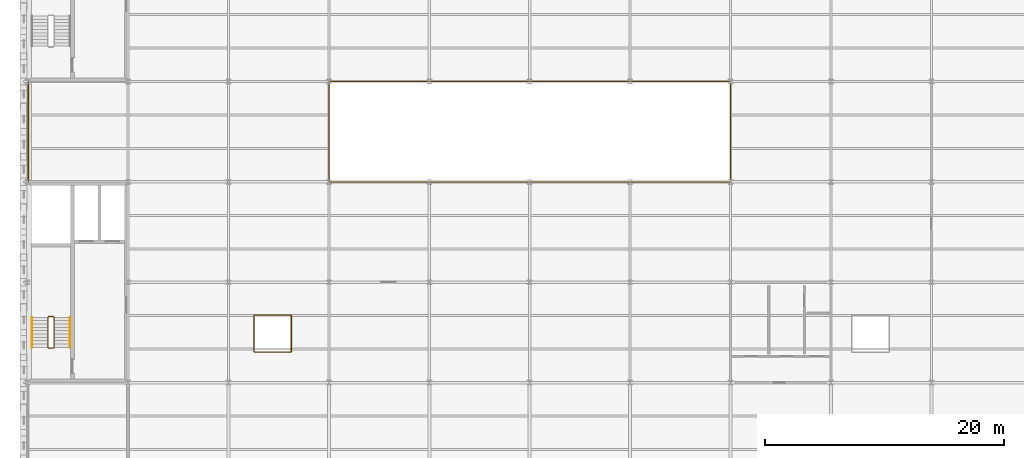
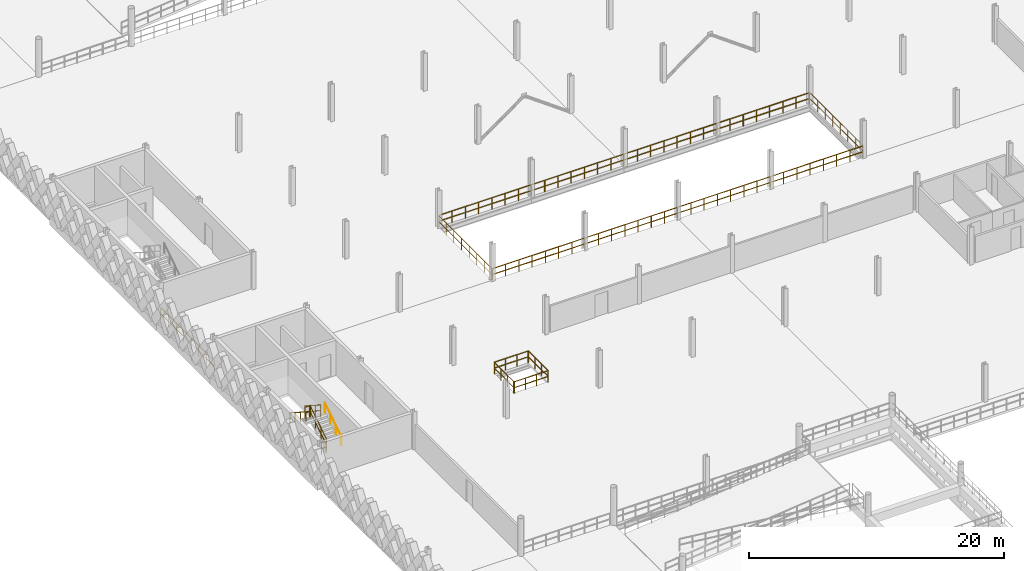
# One storey, part 66 of 74: 15 railings.
"""IFC4 building model written with IfcOpenShell, lengths in metres."""

from ifc_helpers import new_model, si_unit, direction, frame, origin, origin_2d, place, context, subcontext, project, spatial, circle, extrude, material, type_object, element, save


model = new_model("IFC4")

# Units and contexts
model_context = context("Model", 3, precision=1e-05, world=origin(), true_north=direction((0.0, 1.0)))
body_context = subcontext(model_context, "Body", "Model", "MODEL_VIEW")
ifc_project = project(units=[si_unit("LENGTHUNIT", "METRE"), si_unit("AREAUNIT", "SQUARE_METRE"), si_unit("VOLUMEUNIT", "CUBIC_METRE"), si_unit("PLANEANGLEUNIT", "RADIAN"), si_unit("MASSUNIT", "GRAM", prefix="KILO"), si_unit("THERMODYNAMICTEMPERATUREUNIT", "KELVIN"), si_unit("POWERUNIT", "WATT")], contexts=[model_context])

# Site, building, storey
site_placement = place(None, origin())
site = spatial("IfcSite", under=ifc_project, at=site_placement, CompositionType="ELEMENT")
building_placement = place(site_placement, origin())
building = spatial("IfcBuilding", under=site, at=building_placement, Name="Tembeka Court Mobility Hub", CompositionType="ELEMENT")
storey_placement = place(building_placement, frame((0.0, 0.0, 12.60009765625)))
storey = spatial("IfcBuildingStorey", under=building, at=storey_placement, Name="L03", CompositionType="ELEMENT", Elevation=12.60009765625)

# Railings
ifc_material_1 = material(Name="Painted galvanised steel balustrade", Category="steel")
railing_type_1 = type_object("IfcRailingType", Name="RL-GR01", PredefinedType="GUARDRAIL", material=ifc_material_1)
railing_1_placement = place(storey_placement, frame((18.97998046875, 40.949951171875, 0.0)))
element("IfcRailing", 1, at=railing_1_placement, inside=storey, type_object=railing_type_1, Name="Perimeter guard GR01-0103", PredefinedType="GUARDRAIL", context=body_context, shape_type="SweptSolid", body=[
    extrude(circle(Radius=0.02392578125, at=origin_2d()), frame((0.0, 0.0, 1.09619140625), z_axis=(1.0, 0.0, 0.0), x_axis=(0.0, 1.0, 0.0)), (0.0, 0.0, 1.0), 3.0400390625),
    extrude(circle(Radius=0.02392578125, at=origin_2d()), frame((0.0, 0.0, 0.5361328125), z_axis=(1.0, 0.0, 0.0), x_axis=(0.0, 1.0, 0.0)), (0.0, 0.0, 1.0), 3.0400390625),
    extrude(circle(Radius=0.02099609375, at=origin_2d()), origin(), (0.0, 0.0, 1.0), 1.072021484375),
    extrude(circle(Radius=0.02099609375, at=origin_2d()), frame((1.013427734375, 0.0, 0.0)), (0.0, 0.0, 1.0), 1.072021484375),
    extrude(circle(Radius=0.02099609375, at=origin_2d()), frame((2.026611328125, 0.0, 0.0)), (0.0, 0.0, 1.0), 1.072021484375),
    extrude(circle(Radius=0.02099609375, at=origin_2d()), frame((3.0400390625, 0.0, 0.0)), (0.0, 0.0, 1.0), 1.072021484375),
])
railing_2_placement = place(storey_placement, frame((22.050048828125, 40.97998046875, 0.0)))
element("IfcRailing", 2, at=railing_2_placement, inside=storey, type_object=railing_type_1, Name="Perimeter guard GR01-0104", PredefinedType="GUARDRAIL", context=body_context, shape_type="SweptSolid", body=[
    extrude(circle(Radius=0.02392578125, at=origin_2d()), frame((0.0, 0.0, 1.09619140625), z_axis=(0.0, 1.0, 0.0), x_axis=(-1.0, 0.0, 0.0)), (0.0, 0.0, 1.0), 3.0400390625),
    extrude(circle(Radius=0.02392578125, at=origin_2d()), frame((0.0, 0.0, 0.5361328125), z_axis=(0.0, 1.0, 0.0), x_axis=(-1.0, 0.0, 0.0)), (0.0, 0.0, 1.0), 3.0400390625),
    extrude(circle(Radius=0.02099609375, at=origin_2d()), origin(), (0.0, 0.0, 1.0), 1.072021484375),
    extrude(circle(Radius=0.02099609375, at=origin_2d()), frame((0.0, 1.013427734375, 0.0)), (0.0, 0.0, 1.0), 1.072021484375),
    extrude(circle(Radius=0.02099609375, at=origin_2d()), frame((0.0, 2.026611328125, 0.0)), (0.0, 0.0, 1.0), 1.072021484375),
    extrude(circle(Radius=0.02099609375, at=origin_2d()), frame((0.0, 3.0400390625, 0.0)), (0.0, 0.0, 1.0), 1.072021484375),
])
railing_3_placement = place(storey_placement, frame((22.02001953125, 44.050048828125, 0.0)))
element("IfcRailing", 3, at=railing_3_placement, inside=storey, type_object=railing_type_1, Name="Perimeter guard GR01-0105", PredefinedType="GUARDRAIL", context=body_context, shape_type="SweptSolid", body=[
    extrude(circle(Radius=0.02392578125, at=origin_2d()), frame((0.0, 0.0, 1.09619140625), z_axis=(-1.0, 0.0, 0.0), x_axis=(0.0, -1.0, 0.0)), (0.0, 0.0, 1.0), 3.0400390625),
    extrude(circle(Radius=0.02392578125, at=origin_2d()), frame((0.0, 0.0, 0.5361328125), z_axis=(-1.0, 0.0, 0.0), x_axis=(0.0, -1.0, 0.0)), (0.0, 0.0, 1.0), 3.0400390625),
    extrude(circle(Radius=0.02099609375, at=origin_2d()), origin(), (0.0, 0.0, 1.0), 1.072021484375),
    extrude(circle(Radius=0.02099609375, at=origin_2d()), frame((-1.013427734375, 0.0, 0.0)), (0.0, 0.0, 1.0), 1.072021484375),
    extrude(circle(Radius=0.02099609375, at=origin_2d()), frame((-2.026611328125, 0.0, 0.0)), (0.0, 0.0, 1.0), 1.072021484375),
    extrude(circle(Radius=0.02099609375, at=origin_2d()), frame((-3.0400390625, 0.0, 0.0)), (0.0, 0.0, 1.0), 1.072021484375),
])
railing_4_placement = place(storey_placement, frame((18.949951171875, 44.02001953125, 0.0)))
element("IfcRailing", 4, at=railing_4_placement, inside=storey, type_object=railing_type_1, Name="Perimeter guard GR01-0106", PredefinedType="GUARDRAIL", context=body_context, shape_type="SweptSolid", body=[
    extrude(circle(Radius=0.02392578125, at=origin_2d()), frame((0.0, 0.0, 1.09619140625), z_axis=(0.0, -1.0, 0.0), x_axis=(1.0, 0.0, 0.0)), (0.0, 0.0, 1.0), 3.0400390625),
    extrude(circle(Radius=0.02392578125, at=origin_2d()), frame((0.0, 0.0, 0.5361328125), z_axis=(0.0, -1.0, 0.0), x_axis=(1.0, 0.0, 0.0)), (0.0, 0.0, 1.0), 3.0400390625),
    extrude(circle(Radius=0.02099609375, at=origin_2d()), origin(), (0.0, 0.0, 1.0), 1.072021484375),
    extrude(circle(Radius=0.02099609375, at=origin_2d()), frame((0.0, -1.013427734375, 0.0)), (0.0, 0.0, 1.0), 1.072021484375),
    extrude(circle(Radius=0.02099609375, at=origin_2d()), frame((0.0, -2.026611328125, 0.0)), (0.0, 0.0, 1.0), 1.072021484375),
    extrude(circle(Radius=0.02099609375, at=origin_2d()), frame((0.0, -3.0400390625, 0.0)), (0.0, 0.0, 1.0), 1.072021484375),
])
railing_5_placement = place(storey_placement, frame((2.199951171875, 41.35009765625, 0.179931640625)))
element("IfcRailing", 5, at=railing_5_placement, inside=storey, type_object=railing_type_1, Name="L03 ST01 stair guard 1-1", PredefinedType="GUARDRAIL", context=body_context, shape_type="SweptSolid", body=[
    extrude(circle(Radius=0.02392578125, at=origin_2d()), frame((0.0, 0.0, 1.09619140625), z_axis=(0.0, 0.841199657755, 0.540724639528), x_axis=(-1.0, 0.0, 0.0)), (0.0, 0.0, 1.0), 2.995849609375),
    extrude(circle(Radius=0.02392578125, at=origin_2d()), frame((0.0, 0.0, 0.5361328125), z_axis=(0.0, 0.841199657755, 0.540724639528), x_axis=(-1.0, 0.0, 0.0)), (0.0, 0.0, 1.0), 2.995849609375),
    extrude(circle(Radius=0.02099609375, at=origin_2d()), origin(), (0.0, 0.0, 1.0), 1.072021484375),
    extrude(circle(Radius=0.02099609375, at=origin_2d()), frame((0.0, 0.840087890625, 0.5400390625)), (0.0, 0.0, 1.0), 1.072021484375),
    extrude(circle(Radius=0.02099609375, at=origin_2d()), frame((0.0, 1.679931640625, 1.079833984375)), (0.0, 0.0, 1.0), 1.072021484375),
    extrude(circle(Radius=0.02099609375, at=origin_2d()), frame((0.0, 2.52001953125, 1.619873046875)), (0.0, 0.0, 1.0), 1.072021484375),
])
railing_6_placement = place(storey_placement, frame((2.14990234375, 43.919921875, 1.7998046875)))
element("IfcRailing", 6, at=railing_6_placement, inside=storey, type_object=railing_type_1, Name="L03 ST01 stair guard 2-1", PredefinedType="GUARDRAIL", context=body_context, shape_type="SweptSolid", body=[
    extrude(circle(Radius=0.02392578125, at=origin_2d()), frame((0.0, 0.0, 1.09619140625), z_axis=(-1.0, 0.0, 0.0), x_axis=(0.0, -1.0, 0.0)), (0.0, 0.0, 1.0), 0.39990234375),
    extrude(circle(Radius=0.02392578125, at=origin_2d()), frame((0.0, 0.0, 0.5361328125), z_axis=(-1.0, 0.0, 0.0), x_axis=(0.0, -1.0, 0.0)), (0.0, 0.0, 1.0), 0.39990234375),
    extrude(circle(Radius=0.02099609375, at=origin_2d()), origin(), (0.0, 0.0, 1.0), 1.072021484375),
    extrude(circle(Radius=0.02099609375, at=origin_2d()), frame((-0.39990234375, 0.0, 0.0)), (0.0, 0.0, 1.0), 1.072021484375),
])
railing_7_placement = place(storey_placement, frame((1.699951171875, 43.8701171875, 1.97998046875)))
element("IfcRailing", 7, at=railing_7_placement, inside=storey, type_object=railing_type_1, Name="L03 ST01 stair guard 3-1", PredefinedType="GUARDRAIL", context=body_context, shape_type="SweptSolid", body=[
    extrude(circle(Radius=0.02392578125, at=origin_2d()), frame((0.0, 0.0, 1.09619140625), z_axis=(0.0, -0.841199657755, 0.540724639528), x_axis=(1.0, 0.0, 0.0)), (0.0, 0.0, 1.0), 2.995849609375),
    extrude(circle(Radius=0.02392578125, at=origin_2d()), frame((0.0, 0.0, 0.5361328125), z_axis=(0.0, -0.841199657755, 0.540724639528), x_axis=(1.0, 0.0, 0.0)), (0.0, 0.0, 1.0), 2.995849609375),
    extrude(circle(Radius=0.02099609375, at=origin_2d()), origin(), (0.0, 0.0, 1.0), 1.072021484375),
    extrude(circle(Radius=0.02099609375, at=origin_2d()), frame((0.0, -0.840087890625, 0.5400390625)), (0.0, 0.0, 1.0), 1.072021484375),
    extrude(circle(Radius=0.02099609375, at=origin_2d()), frame((0.0, -1.679931640625, 1.079833984375)), (0.0, 0.0, 1.0), 1.072021484375),
    extrude(circle(Radius=0.02099609375, at=origin_2d()), frame((0.0, -2.52001953125, 1.619873046875)), (0.0, 0.0, 1.0), 1.072021484375),
])
railing_8_placement = place(storey_placement, frame((2.14990234375, 41.300048828125, 0.0)))
element("IfcRailing", 8, at=railing_8_placement, inside=storey, type_object=railing_type_1, Name="L03 ST01 stair guard 4-1", PredefinedType="GUARDRAIL", context=body_context, shape_type="SweptSolid", body=[
    extrude(circle(Radius=0.02392578125, at=origin_2d()), frame((0.0, 0.0, 1.09619140625), z_axis=(-1.0, 0.0, 0.0), x_axis=(0.0, -1.0, 0.0)), (0.0, 0.0, 1.0), 0.39990234375),
    extrude(circle(Radius=0.02392578125, at=origin_2d()), frame((0.0, 0.0, 0.5361328125), z_axis=(-1.0, 0.0, 0.0), x_axis=(0.0, -1.0, 0.0)), (0.0, 0.0, 1.0), 0.39990234375),
    extrude(circle(Radius=0.02099609375, at=origin_2d()), origin(), (0.0, 0.0, 1.0), 1.072021484375),
    extrude(circle(Radius=0.02099609375, at=origin_2d()), frame((-0.39990234375, 0.0, 0.0)), (0.0, 0.0, 1.0), 1.072021484375),
])
railing_type_2 = type_object("IfcRailingType", Name="RL-GR02", PredefinedType="GUARDRAIL", material=ifc_material_1)
railing_9_placement = place(storey_placement, frame((25.22998046875, 55.199951171875, 0.0)))
element("IfcRailing", 9, at=railing_9_placement, inside=storey, type_object=railing_type_2, Name="Perimeter guard GR02-0099", PredefinedType="GUARDRAIL", context=body_context, shape_type="SweptSolid", body=[
    extrude(circle(Radius=0.02392578125, at=origin_2d()), frame((0.0, 0.0, 1.09619140625), z_axis=(1.0, 0.0, 0.0), x_axis=(0.0, 1.0, 0.0)), (0.0, 0.0, 1.0), 33.5400390625),
    extrude(circle(Radius=0.02392578125, at=origin_2d()), frame((0.0, 0.0, 0.5361328125), z_axis=(1.0, 0.0, 0.0), x_axis=(0.0, 1.0, 0.0)), (0.0, 0.0, 1.0), 33.5400390625),
    extrude(circle(Radius=0.02099609375, at=origin_2d()), origin(), (0.0, 0.0, 1.0), 1.072021484375),
    extrude(circle(Radius=0.02099609375, at=origin_2d()), frame((1.19775390625, 0.0, 0.0)), (0.0, 0.0, 1.0), 1.072021484375),
    extrude(circle(Radius=0.02099609375, at=origin_2d()), frame((2.395751953125, 0.0, 0.0)), (0.0, 0.0, 1.0), 1.072021484375),
    extrude(circle(Radius=0.02099609375, at=origin_2d()), frame((3.593505859375, 0.0, 0.0)), (0.0, 0.0, 1.0), 1.072021484375),
    extrude(circle(Radius=0.02099609375, at=origin_2d()), frame((4.79150390625, 0.0, 0.0)), (0.0, 0.0, 1.0), 1.072021484375),
    extrude(circle(Radius=0.02099609375, at=origin_2d()), frame((5.9892578125, 0.0, 0.0)), (0.0, 0.0, 1.0), 1.072021484375),
    extrude(circle(Radius=0.02099609375, at=origin_2d()), frame((7.187255859375, 0.0, 0.0)), (0.0, 0.0, 1.0), 1.072021484375),
    extrude(circle(Radius=0.02099609375, at=origin_2d()), frame((8.385009765625, 0.0, 0.0)), (0.0, 0.0, 1.0), 1.072021484375),
    extrude(circle(Radius=0.02099609375, at=origin_2d()), frame((9.582763671875, 0.0, 0.0)), (0.0, 0.0, 1.0), 1.072021484375),
    extrude(circle(Radius=0.02099609375, at=origin_2d()), frame((10.78076171875, 0.0, 0.0)), (0.0, 0.0, 1.0), 1.072021484375),
    extrude(circle(Radius=0.02099609375, at=origin_2d()), frame((11.978515625, 0.0, 0.0)), (0.0, 0.0, 1.0), 1.072021484375),
    extrude(circle(Radius=0.02099609375, at=origin_2d()), frame((13.176513671875, 0.0, 0.0)), (0.0, 0.0, 1.0), 1.072021484375),
    extrude(circle(Radius=0.02099609375, at=origin_2d()), frame((14.374267578125, 0.0, 0.0)), (0.0, 0.0, 1.0), 1.072021484375),
    extrude(circle(Radius=0.02099609375, at=origin_2d()), frame((15.572265625, 0.0, 0.0)), (0.0, 0.0, 1.0), 1.072021484375),
    extrude(circle(Radius=0.02099609375, at=origin_2d()), frame((16.77001953125, 0.0, 0.0)), (0.0, 0.0, 1.0), 1.072021484375),
    extrude(circle(Radius=0.02099609375, at=origin_2d()), frame((17.9677734375, 0.0, 0.0)), (0.0, 0.0, 1.0), 1.072021484375),
    extrude(circle(Radius=0.02099609375, at=origin_2d()), frame((19.165771484375, 0.0, 0.0)), (0.0, 0.0, 1.0), 1.072021484375),
    extrude(circle(Radius=0.02099609375, at=origin_2d()), frame((20.363525390625, 0.0, 0.0)), (0.0, 0.0, 1.0), 1.072021484375),
    extrude(circle(Radius=0.02099609375, at=origin_2d()), frame((21.5615234375, 0.0, 0.0)), (0.0, 0.0, 1.0), 1.072021484375),
    extrude(circle(Radius=0.02099609375, at=origin_2d()), frame((22.75927734375, 0.0, 0.0)), (0.0, 0.0, 1.0), 1.072021484375),
    extrude(circle(Radius=0.02099609375, at=origin_2d()), frame((23.957275390625, 0.0, 0.0)), (0.0, 0.0, 1.0), 1.072021484375),
    extrude(circle(Radius=0.02099609375, at=origin_2d()), frame((25.155029296875, 0.0, 0.0)), (0.0, 0.0, 1.0), 1.072021484375),
    extrude(circle(Radius=0.02099609375, at=origin_2d()), frame((26.352783203125, 0.0, 0.0)), (0.0, 0.0, 1.0), 1.072021484375),
    extrude(circle(Radius=0.02099609375, at=origin_2d()), frame((27.55078125, 0.0, 0.0)), (0.0, 0.0, 1.0), 1.072021484375),
    extrude(circle(Radius=0.02099609375, at=origin_2d()), frame((28.74853515625, 0.0, 0.0)), (0.0, 0.0, 1.0), 1.072021484375),
    extrude(circle(Radius=0.02099609375, at=origin_2d()), frame((29.946533203125, 0.0, 0.0)), (0.0, 0.0, 1.0), 1.072021484375),
    extrude(circle(Radius=0.02099609375, at=origin_2d()), frame((31.144287109375, 0.0, 0.0)), (0.0, 0.0, 1.0), 1.072021484375),
    extrude(circle(Radius=0.02099609375, at=origin_2d()), frame((32.34228515625, 0.0, 0.0)), (0.0, 0.0, 1.0), 1.072021484375),
    extrude(circle(Radius=0.02099609375, at=origin_2d()), frame((33.5400390625, 0.0, 0.0)), (0.0, 0.0, 1.0), 1.072021484375),
])
railing_10_placement = place(storey_placement, frame((58.800048828125, 55.22998046875, 0.0)))
element("IfcRailing", 10, at=railing_10_placement, inside=storey, type_object=railing_type_2, Name="Perimeter guard GR02-0100", PredefinedType="GUARDRAIL", context=body_context, shape_type="SweptSolid", body=[
    extrude(circle(Radius=0.02392578125, at=origin_2d()), frame((0.0, 0.0, 1.09619140625), z_axis=(0.0, 1.0, 0.0), x_axis=(-1.0, 0.0, 0.0)), (0.0, 0.0, 1.0), 8.340087890625),
    extrude(circle(Radius=0.02392578125, at=origin_2d()), frame((0.0, 0.0, 0.5361328125), z_axis=(0.0, 1.0, 0.0), x_axis=(-1.0, 0.0, 0.0)), (0.0, 0.0, 1.0), 8.340087890625),
    extrude(circle(Radius=0.02099609375, at=origin_2d()), origin(), (0.0, 0.0, 1.0), 1.072021484375),
    extrude(circle(Radius=0.02099609375, at=origin_2d()), frame((0.0, 1.19140625, 0.0)), (0.0, 0.0, 1.0), 1.072021484375),
    extrude(circle(Radius=0.02099609375, at=origin_2d()), frame((0.0, 2.3828125, 0.0)), (0.0, 0.0, 1.0), 1.072021484375),
    extrude(circle(Radius=0.02099609375, at=origin_2d()), frame((0.0, 3.57421875, 0.0)), (0.0, 0.0, 1.0), 1.072021484375),
    extrude(circle(Radius=0.02099609375, at=origin_2d()), frame((0.0, 4.765869140625, 0.0)), (0.0, 0.0, 1.0), 1.072021484375),
    extrude(circle(Radius=0.02099609375, at=origin_2d()), frame((0.0, 5.957275390625, 0.0)), (0.0, 0.0, 1.0), 1.072021484375),
    extrude(circle(Radius=0.02099609375, at=origin_2d()), frame((0.0, 7.148681640625, 0.0)), (0.0, 0.0, 1.0), 1.072021484375),
    extrude(circle(Radius=0.02099609375, at=origin_2d()), frame((0.0, 8.340087890625, 0.0)), (0.0, 0.0, 1.0), 1.072021484375),
])
railing_11_placement = place(storey_placement, frame((58.77001953125, 63.60009765625, 0.0)))
element("IfcRailing", 11, at=railing_11_placement, inside=storey, type_object=railing_type_2, Name="Perimeter guard GR02-0101", PredefinedType="GUARDRAIL", context=body_context, shape_type="SweptSolid", body=[
    extrude(circle(Radius=0.02392578125, at=origin_2d()), frame((0.0, 0.0, 1.09619140625), z_axis=(-1.0, 0.0, 0.0), x_axis=(0.0, -1.0, 0.0)), (0.0, 0.0, 1.0), 33.5400390625),
    extrude(circle(Radius=0.02392578125, at=origin_2d()), frame((0.0, 0.0, 0.5361328125), z_axis=(-1.0, 0.0, 0.0), x_axis=(0.0, -1.0, 0.0)), (0.0, 0.0, 1.0), 33.5400390625),
    extrude(circle(Radius=0.02099609375, at=origin_2d()), origin(), (0.0, 0.0, 1.0), 1.072021484375),
    extrude(circle(Radius=0.02099609375, at=origin_2d()), frame((-1.19775390625, 0.0, 0.0)), (0.0, 0.0, 1.0), 1.072021484375),
    extrude(circle(Radius=0.02099609375, at=origin_2d()), frame((-2.395751953125, 0.0, 0.0)), (0.0, 0.0, 1.0), 1.072021484375),
    extrude(circle(Radius=0.02099609375, at=origin_2d()), frame((-3.593505859375, 0.0, 0.0)), (0.0, 0.0, 1.0), 1.072021484375),
    extrude(circle(Radius=0.02099609375, at=origin_2d()), frame((-4.79150390625, 0.0, 0.0)), (0.0, 0.0, 1.0), 1.072021484375),
    extrude(circle(Radius=0.02099609375, at=origin_2d()), frame((-5.9892578125, 0.0, 0.0)), (0.0, 0.0, 1.0), 1.072021484375),
    extrude(circle(Radius=0.02099609375, at=origin_2d()), frame((-7.187255859375, 0.0, 0.0)), (0.0, 0.0, 1.0), 1.072021484375),
    extrude(circle(Radius=0.02099609375, at=origin_2d()), frame((-8.385009765625, 0.0, 0.0)), (0.0, 0.0, 1.0), 1.072021484375),
    extrude(circle(Radius=0.02099609375, at=origin_2d()), frame((-9.582763671875, 0.0, 0.0)), (0.0, 0.0, 1.0), 1.072021484375),
    extrude(circle(Radius=0.02099609375, at=origin_2d()), frame((-10.78076171875, 0.0, 0.0)), (0.0, 0.0, 1.0), 1.072021484375),
    extrude(circle(Radius=0.02099609375, at=origin_2d()), frame((-11.978515625, 0.0, 0.0)), (0.0, 0.0, 1.0), 1.072021484375),
    extrude(circle(Radius=0.02099609375, at=origin_2d()), frame((-13.176513671875, 0.0, 0.0)), (0.0, 0.0, 1.0), 1.072021484375),
    extrude(circle(Radius=0.02099609375, at=origin_2d()), frame((-14.374267578125, 0.0, 0.0)), (0.0, 0.0, 1.0), 1.072021484375),
    extrude(circle(Radius=0.02099609375, at=origin_2d()), frame((-15.572265625, 0.0, 0.0)), (0.0, 0.0, 1.0), 1.072021484375),
    extrude(circle(Radius=0.02099609375, at=origin_2d()), frame((-16.77001953125, 0.0, 0.0)), (0.0, 0.0, 1.0), 1.072021484375),
    extrude(circle(Radius=0.02099609375, at=origin_2d()), frame((-17.9677734375, 0.0, 0.0)), (0.0, 0.0, 1.0), 1.072021484375),
    extrude(circle(Radius=0.02099609375, at=origin_2d()), frame((-19.165771484375, 0.0, 0.0)), (0.0, 0.0, 1.0), 1.072021484375),
    extrude(circle(Radius=0.02099609375, at=origin_2d()), frame((-20.363525390625, 0.0, 0.0)), (0.0, 0.0, 1.0), 1.072021484375),
    extrude(circle(Radius=0.02099609375, at=origin_2d()), frame((-21.5615234375, 0.0, 0.0)), (0.0, 0.0, 1.0), 1.072021484375),
    extrude(circle(Radius=0.02099609375, at=origin_2d()), frame((-22.75927734375, 0.0, 0.0)), (0.0, 0.0, 1.0), 1.072021484375),
    extrude(circle(Radius=0.02099609375, at=origin_2d()), frame((-23.957275390625, 0.0, 0.0)), (0.0, 0.0, 1.0), 1.072021484375),
    extrude(circle(Radius=0.02099609375, at=origin_2d()), frame((-25.155029296875, 0.0, 0.0)), (0.0, 0.0, 1.0), 1.072021484375),
    extrude(circle(Radius=0.02099609375, at=origin_2d()), frame((-26.352783203125, 0.0, 0.0)), (0.0, 0.0, 1.0), 1.072021484375),
    extrude(circle(Radius=0.02099609375, at=origin_2d()), frame((-27.55078125, 0.0, 0.0)), (0.0, 0.0, 1.0), 1.072021484375),
    extrude(circle(Radius=0.02099609375, at=origin_2d()), frame((-28.74853515625, 0.0, 0.0)), (0.0, 0.0, 1.0), 1.072021484375),
    extrude(circle(Radius=0.02099609375, at=origin_2d()), frame((-29.946533203125, 0.0, 0.0)), (0.0, 0.0, 1.0), 1.072021484375),
    extrude(circle(Radius=0.02099609375, at=origin_2d()), frame((-31.144287109375, 0.0, 0.0)), (0.0, 0.0, 1.0), 1.072021484375),
    extrude(circle(Radius=0.02099609375, at=origin_2d()), frame((-32.34228515625, 0.0, 0.0)), (0.0, 0.0, 1.0), 1.072021484375),
    extrude(circle(Radius=0.02099609375, at=origin_2d()), frame((-33.5400390625, 0.0, 0.0)), (0.0, 0.0, 1.0), 1.072021484375),
])
railing_12_placement = place(storey_placement, frame((25.199951171875, 63.570068359375, 0.0)))
element("IfcRailing", 12, at=railing_12_placement, inside=storey, type_object=railing_type_2, Name="Perimeter guard GR02-0102", PredefinedType="GUARDRAIL", context=body_context, shape_type="SweptSolid", body=[
    extrude(circle(Radius=0.02392578125, at=origin_2d()), frame((0.0, 0.0, 1.09619140625), z_axis=(0.0, -1.0, 0.0), x_axis=(1.0, 0.0, 0.0)), (0.0, 0.0, 1.0), 8.340087890625),
    extrude(circle(Radius=0.02392578125, at=origin_2d()), frame((0.0, 0.0, 0.5361328125), z_axis=(0.0, -1.0, 0.0), x_axis=(1.0, 0.0, 0.0)), (0.0, 0.0, 1.0), 8.340087890625),
    extrude(circle(Radius=0.02099609375, at=origin_2d()), origin(), (0.0, 0.0, 1.0), 1.072021484375),
    extrude(circle(Radius=0.02099609375, at=origin_2d()), frame((0.0, -1.19140625, 0.0)), (0.0, 0.0, 1.0), 1.072021484375),
    extrude(circle(Radius=0.02099609375, at=origin_2d()), frame((0.0, -2.3828125, 0.0)), (0.0, 0.0, 1.0), 1.072021484375),
    extrude(circle(Radius=0.02099609375, at=origin_2d()), frame((0.0, -3.57421875, 0.0)), (0.0, 0.0, 1.0), 1.072021484375),
    extrude(circle(Radius=0.02099609375, at=origin_2d()), frame((0.0, -4.765869140625, 0.0)), (0.0, 0.0, 1.0), 1.072021484375),
    extrude(circle(Radius=0.02099609375, at=origin_2d()), frame((0.0, -5.957275390625, 0.0)), (0.0, 0.0, 1.0), 1.072021484375),
    extrude(circle(Radius=0.02099609375, at=origin_2d()), frame((0.0, -7.148681640625, 0.0)), (0.0, 0.0, 1.0), 1.072021484375),
    extrude(circle(Radius=0.02099609375, at=origin_2d()), frame((0.0, -8.340087890625, 0.0)), (0.0, 0.0, 1.0), 1.072021484375),
])
railing_13_placement = place(storey_placement, frame((0.050048828125, 55.22998046875, 0.0)))
element("IfcRailing", 13, at=railing_13_placement, inside=storey, type_object=railing_type_2, Name="Perimeter guard GR02-0122", PredefinedType="GUARDRAIL", context=body_context, shape_type="SweptSolid", body=[
    extrude(circle(Radius=0.02392578125, at=origin_2d()), frame((0.0, 0.0, 1.09619140625), z_axis=(0.0, 1.0, 0.0), x_axis=(-1.0, 0.0, 0.0)), (0.0, 0.0, 1.0), 8.340087890625),
    extrude(circle(Radius=0.02392578125, at=origin_2d()), frame((0.0, 0.0, 0.5361328125), z_axis=(0.0, 1.0, 0.0), x_axis=(-1.0, 0.0, 0.0)), (0.0, 0.0, 1.0), 8.340087890625),
    extrude(circle(Radius=0.02099609375, at=origin_2d()), origin(), (0.0, 0.0, 1.0), 1.072021484375),
    extrude(circle(Radius=0.02099609375, at=origin_2d()), frame((0.0, 1.19140625, 0.0)), (0.0, 0.0, 1.0), 1.072021484375),
    extrude(circle(Radius=0.02099609375, at=origin_2d()), frame((0.0, 2.3828125, 0.0)), (0.0, 0.0, 1.0), 1.072021484375),
    extrude(circle(Radius=0.02099609375, at=origin_2d()), frame((0.0, 3.57421875, 0.0)), (0.0, 0.0, 1.0), 1.072021484375),
    extrude(circle(Radius=0.02099609375, at=origin_2d()), frame((0.0, 4.765869140625, 0.0)), (0.0, 0.0, 1.0), 1.072021484375),
    extrude(circle(Radius=0.02099609375, at=origin_2d()), frame((0.0, 5.957275390625, 0.0)), (0.0, 0.0, 1.0), 1.072021484375),
    extrude(circle(Radius=0.02099609375, at=origin_2d()), frame((0.0, 7.148681640625, 0.0)), (0.0, 0.0, 1.0), 1.072021484375),
    extrude(circle(Radius=0.02099609375, at=origin_2d()), frame((0.0, 8.340087890625, 0.0)), (0.0, 0.0, 1.0), 1.072021484375),
])
ifc_material_2 = material(Name="Brushed stainless steel handrail", Category="steel")
railing_type_3 = type_object("IfcRailingType", Name="RL-HR01", PredefinedType="HANDRAIL", material=ifc_material_2)
railing_14_placement = place(storey_placement, frame((3.550048828125, 41.35009765625, 0.179931640625)))
element("IfcRailing", 14, at=railing_14_placement, inside=storey, type_object=railing_type_3, Name="L03 ST01 handrail 1-1", PredefinedType="HANDRAIL", context=body_context, shape_type="SweptSolid", body=[
    extrude(circle(Radius=0.02392578125, at=origin_2d()), frame((0.0, 0.0, 0.89599609375), z_axis=(0.0, 0.841199657755, 0.540724639528), x_axis=(-1.0, 0.0, 0.0)), (0.0, 0.0, 1.0), 2.995849609375),
    extrude(circle(Radius=0.02099609375, at=origin_2d()), origin(), (0.0, 0.0, 1.0), 0.871826171875),
    extrude(circle(Radius=0.02099609375, at=origin_2d()), frame((0.0, 0.840087890625, 0.5400390625)), (0.0, 0.0, 1.0), 0.871826171875),
    extrude(circle(Radius=0.02099609375, at=origin_2d()), frame((0.0, 1.679931640625, 1.079833984375)), (0.0, 0.0, 1.0), 0.871826171875),
    extrude(circle(Radius=0.02099609375, at=origin_2d()), frame((0.0, 2.52001953125, 1.619873046875)), (0.0, 0.0, 1.0), 0.871826171875),
])
railing_15_placement = place(storey_placement, frame((0.35009765625, 43.8701171875, 1.97998046875)))
element("IfcRailing", 15, at=railing_15_placement, inside=storey, type_object=railing_type_3, Name="L03 ST01 handrail 2-1", PredefinedType="HANDRAIL", context=body_context, shape_type="SweptSolid", body=[
    extrude(circle(Radius=0.02392578125, at=origin_2d()), frame((0.0, 0.0, 0.89599609375), z_axis=(0.0, -0.841199657755, 0.540724639528), x_axis=(1.0, 0.0, 0.0)), (0.0, 0.0, 1.0), 2.995849609375),
    extrude(circle(Radius=0.02099609375, at=origin_2d()), origin(), (0.0, 0.0, 1.0), 0.871826171875),
    extrude(circle(Radius=0.02099609375, at=origin_2d()), frame((0.0, -0.840087890625, 0.5400390625)), (0.0, 0.0, 1.0), 0.871826171875),
    extrude(circle(Radius=0.02099609375, at=origin_2d()), frame((0.0, -1.679931640625, 1.079833984375)), (0.0, 0.0, 1.0), 0.871826171875),
    extrude(circle(Radius=0.02099609375, at=origin_2d()), frame((0.0, -2.52001953125, 1.619873046875)), (0.0, 0.0, 1.0), 0.871826171875),
])

save(model, "model.ifc")
